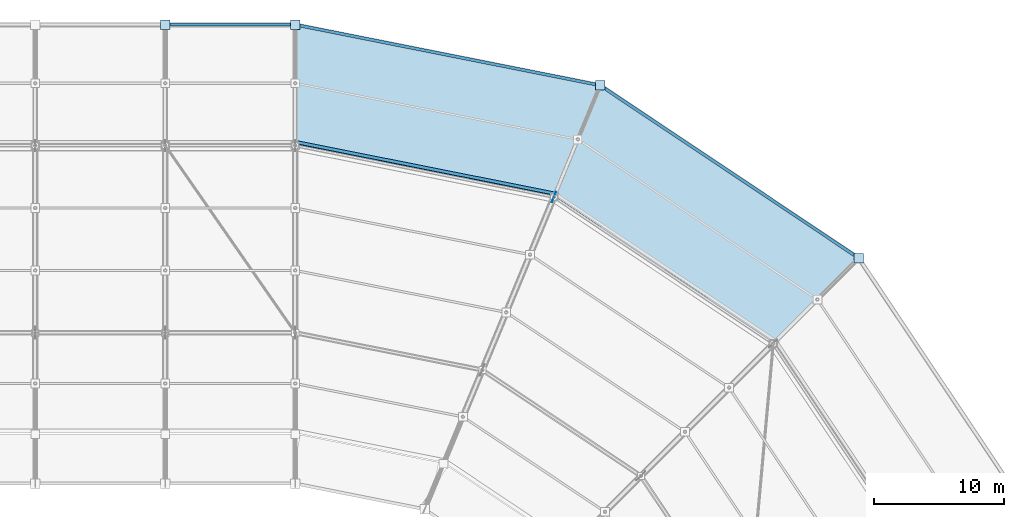
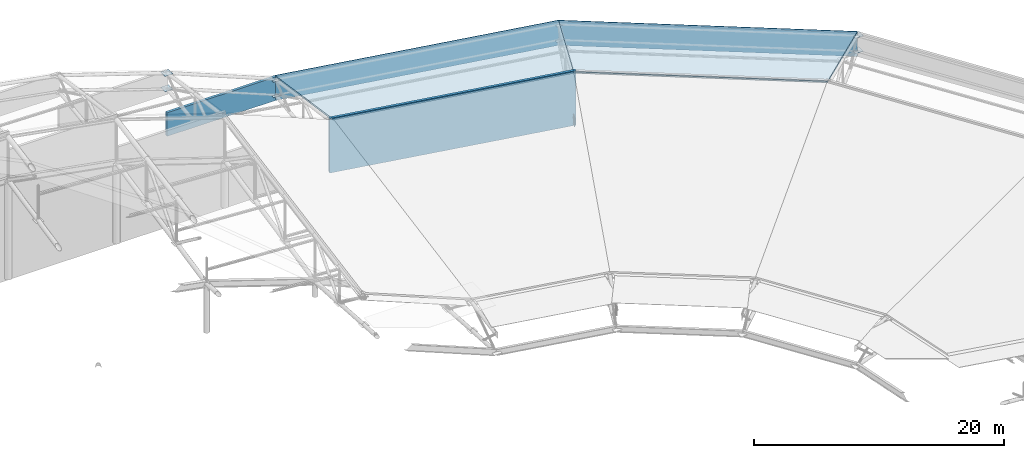
# One storey, part 123 of 146: 13 plates, 2 slabs.
"""IFC4 building model written with IfcOpenShell, lengths in metres."""

import ifcopenshell
import ifcopenshell.guid

model = None  # the IFC model being written
_history = None  # IfcOwnerHistory: only IFC2X3 demands one
_inside = {}  # id of a spatial element -> (the spatial element, [elements in it])
_under = {}  # id of a project, library or spatial element -> (it, [spatial elements below it])
_declared = {}  # id of a project -> (the project, [libraries it declares])
_typed = {}  # id of a type object -> (the type object, [elements of that type])
_made_of = {}  # id of a material, layer set ... -> (it, [elements and type objects made of it])


def new_model(schema):
    """Start an empty IFC model of exactly this schema.

    Asked for "IFC4X3", IfcOpenShell would pick the latest addendum, in which some entities
    have other attributes; the version numbers below select the first issue.
    IFC2X3 requires an IfcOwnerHistory on every rooted entity: one is made here for all.
    """
    global model, _history
    if schema == "IFC4X3":
        model = ifcopenshell.file(schema_version=(4, 3, 0, 0))
    else:
        model = ifcopenshell.file(schema=schema)
    _inside.clear()
    _under.clear()
    _declared.clear()
    _typed.clear()
    _made_of.clear()
    _history = None
    if model.schema == "IFC2X3":
        org = make("IfcOrganization", Name="unknown")
        user = make(
            "IfcPersonAndOrganization",
            ThePerson=make("IfcPerson", FamilyName="unknown"),
            TheOrganization=org,
        )
        app = make(
            "IfcApplication",
            ApplicationDeveloper=org,
            Version="unknown",
            ApplicationFullName="unknown",
            ApplicationIdentifier="unknown",
        )
        _history = make(
            "IfcOwnerHistory",
            OwningUser=user,
            OwningApplication=app,
            ChangeAction="ADDED",
            CreationDate=0,
        )
    return model


def make(cls, **values):
    """One entity of the class cls with the attributes given. An attribute that is None is left unset."""
    return model.create_entity(
        cls, **{name: value for name, value in values.items() if value is not None}
    )


def rooted(cls, **values):
    """An entity with a GlobalId (a new one), such as an element, a storey or a relation."""
    return make(cls, GlobalId=ifcopenshell.guid.new(), OwnerHistory=_history, **values)


def si_unit(unit_type, name, prefix=None):
    """IfcSIUnit, for example si_unit("LENGTHUNIT", "METRE", prefix="MILLI")."""
    return make("IfcSIUnit", UnitType=unit_type, Prefix=prefix, Name=name)


def assignment(units):
    """IfcUnitAssignment: the units of a project."""
    return None if units is None else make("IfcUnitAssignment", Units=units)


def point(xyz):
    """IfcCartesianPoint."""
    return None if xyz is None else make("IfcCartesianPoint", Coordinates=xyz)


def direction(xyz):
    """IfcDirection."""
    return None if xyz is None else make("IfcDirection", DirectionRatios=xyz)


def frame(location, z_axis=None, x_axis=None):
    """IfcAxis2Placement3D, a coordinate frame: its origin and axes. An axis left out is left unset."""
    return make(
        "IfcAxis2Placement3D",
        Location=point(location),
        Axis=direction(z_axis),
        RefDirection=direction(x_axis),
    )


def frame_2d(location, x_axis=None):
    """IfcAxis2Placement2D, a coordinate frame in the plane: its origin and x axis."""
    return make(
        "IfcAxis2Placement2D", Location=point(location), RefDirection=direction(x_axis)
    )


def origin():
    """The frame at (0, 0, 0) with its axes left unset."""
    return frame((0.0, 0.0, 0.0))


def origin_2d():
    """The frame at (0, 0) in the plane with its x axis left unset."""
    return frame_2d((0.0, 0.0))


def place(relative_to, where):
    """IfcLocalPlacement: puts the frame where relative to a parent placement (None: the world)."""
    return make(
        "IfcLocalPlacement", PlacementRelTo=relative_to, RelativePlacement=where
    )


def context(
    kind, dimensions, precision=None, world=None, true_north=None, identifier=None
):
    """IfcGeometricRepresentationContext, for example the 3D "Model" context."""
    return make(
        "IfcGeometricRepresentationContext",
        ContextIdentifier=identifier,
        ContextType=kind,
        CoordinateSpaceDimension=dimensions,
        Precision=precision,
        WorldCoordinateSystem=world,
        TrueNorth=true_north,
    )


def subcontext(parent, identifier, kind, view, scale=None):
    """IfcGeometricRepresentationSubContext, for example "Body" below "Model"."""
    return make(
        "IfcGeometricRepresentationSubContext",
        ContextIdentifier=identifier,
        ContextType=kind,
        ParentContext=parent,
        TargetScale=scale,
        TargetView=view,
    )


def project(units=None, contexts=None):
    """IfcProject with its units and contexts."""
    return rooted(
        "IfcProject",
        Name="project",
        RepresentationContexts=contexts,
        UnitsInContext=assignment(units),
    )


def spatial(cls, under=None, at=None, **own):
    """A site, building, storey or space (cls), placed at a placement, below another one or the project."""
    s = rooted(cls, ObjectPlacement=at, **own)
    if under is not None:
        _under.setdefault(under.id(), (under, []))[1].append(s)
    return s


def polyline(points):
    """IfcPolyline through the points."""
    return make("IfcPolyline", Points=[point(p) for p in points])


def profile(cls, at=None, kind="AREA", **sizes):
    """A parametric profile (cls). Its sizes go by their IFC names, for example OverallWidth=200.0."""
    return make(cls, ProfileType=kind, Position=at, **sizes)


def rectangle(**sizes):
    """IfcRectangleProfileDef."""
    return profile("IfcRectangleProfileDef", **sizes)


def outline(outer, holes=None, kind="AREA"):
    """IfcArbitraryClosedProfileDef: a profile drawn as a closed curve; with holes, ...WithVoids."""
    if holes is None:
        return make("IfcArbitraryClosedProfileDef", ProfileType=kind, OuterCurve=outer)
    return make(
        "IfcArbitraryProfileDefWithVoids",
        ProfileType=kind,
        OuterCurve=outer,
        InnerCurves=holes,
    )


def extrude(swept, where, along, depth):
    """IfcExtrudedAreaSolid: the profile swept, set in the frame where, extruded along a direction by depth."""
    return make(
        "IfcExtrudedAreaSolid",
        SweptArea=swept,
        Position=where,
        ExtrudedDirection=direction(along),
        Depth=depth,
    )


def shape(context_of_items, identifier, shape_type, items):
    """IfcShapeRepresentation: the items that make up one representation, for example the "Body"."""
    return make(
        "IfcShapeRepresentation",
        ContextOfItems=context_of_items,
        RepresentationIdentifier=identifier,
        RepresentationType=shape_type,
        Items=items,
    )


def material(Name=None, Category=None):
    """IfcMaterial."""
    return make("IfcMaterial", Name=Name, Category=Category)


def layer(
    of_material, thickness, ventilated=None, Name=None, Category=None, Priority=None
):
    """IfcMaterialLayer: one layer of a wall or slab, of a material (None: an air gap)."""
    return make(
        "IfcMaterialLayer",
        Material=of_material,
        LayerThickness=thickness,
        IsVentilated=ventilated,
        Name=Name,
        Category=Category,
        Priority=Priority,
    )


def layer_set(layers, Name=None):
    """IfcMaterialLayerSet."""
    return make("IfcMaterialLayerSet", MaterialLayers=layers, LayerSetName=Name)


def made_of(thing, what):
    """Note that an element or type object is made of a material, layer set ...; save() writes the relation."""
    if what is not None:
        _made_of.setdefault(what.id(), (what, []))[1].append(thing)
    return thing


def type_object(cls, material=None, **own):
    """A type object (cls), such as IfcWallType, which elements share."""
    return made_of(rooted(cls, **own), material)


def element(
    cls,
    number,
    at=None,
    inside=None,
    cuts=None,
    type_object=None,
    material=None,
    context=None,
    identifier="Body",
    shape_type=None,
    held_by="IfcProductDefinitionShape",
    body=None,
    shapes=None,
    **own,
):
    """One element of the class cls, such as IfcWall. Its Tag is "e" and its number.

    at: its placement. inside: the storey or other place that contains it. cuts: it is an
    opening in that element (IfcRelVoidsElement). A single representation is given by context,
    identifier, shape_type and body (its items); several are given by shapes. held_by: the class
    of the entity that holds the representations. save() writes the other relations.
    """
    e = rooted(cls, Tag="e%d" % number, ObjectPlacement=at, **own)
    if body is not None:
        shapes = [shape(context, identifier, shape_type, body)]
    if shapes is not None:
        e.Representation = make(held_by, Representations=shapes)
    if inside is not None:
        _inside.setdefault(inside.id(), (inside, []))[1].append(e)
    if cuts is not None:
        rooted(
            "IfcRelVoidsElement", RelatingBuildingElement=cuts, RelatedOpeningElement=e
        )
    if type_object is not None:
        _typed.setdefault(type_object.id(), (type_object, []))[1].append(e)
    return made_of(e, material)


def aggregate(whole, parts):
    """IfcRelAggregates: a whole, such as a stair, and the parts it consists of."""
    return rooted("IfcRelAggregates", RelatingObject=whole, RelatedObjects=parts)


def save(model, path):
    """Write the relations noted so far, then the file.

    IfcRelAggregates (storeys below a building ...), IfcRelContainedInSpatialStructure (elements
    in a storey), IfcRelDefinesByType, IfcRelAssociatesMaterial and IfcRelDeclares: one each for
    every whole, place, type object, material and project.
    """
    for whole, parts in _under.values():
        aggregate(whole, parts)
    for where, things in _inside.values():
        rooted(
            "IfcRelContainedInSpatialStructure",
            RelatedElements=things,
            RelatingStructure=where,
        )
    for kind, things in _typed.values():
        rooted("IfcRelDefinesByType", RelatedObjects=things, RelatingType=kind)
    for what, things in _made_of.values():
        rooted("IfcRelAssociatesMaterial", RelatedObjects=things, RelatingMaterial=what)
    for by, libraries in _declared.values():
        rooted("IfcRelDeclares", RelatingContext=by, RelatedDefinitions=libraries)
    model.write(path)


model = new_model("IFC4")

# Units and contexts
model_context = context("Model", 3, precision=1e-05, world=origin(), true_north=direction((0.0, 1.0)))
body_context = subcontext(model_context, "Body", "Model", "MODEL_VIEW")
ifc_project = project(units=[si_unit("LENGTHUNIT", "METRE"), si_unit("AREAUNIT", "SQUARE_METRE"), si_unit("VOLUMEUNIT", "CUBIC_METRE"), si_unit("PLANEANGLEUNIT", "RADIAN"), si_unit("MASSUNIT", "GRAM", prefix="KILO")], contexts=[model_context])

# Site, building, storey
site_placement = place(None, origin())
site = spatial("IfcSite", under=ifc_project, at=site_placement, CompositionType="ELEMENT")
building_placement = place(site_placement, origin())
building = spatial("IfcBuilding", under=site, at=building_placement, Name="Candeia Ridge Stadium", CompositionType="ELEMENT")
storey_placement = place(building_placement, frame((0.0, 0.0, 31.800048828125)))
storey = spatial("IfcBuildingStorey", under=building, at=storey_placement, Name="RF", CompositionType="ELEMENT", Elevation=31.800048828125)

# Plates
ifc_material_1 = material(Name="Aluminium Anodized Warm Bronze", Category="aluminium")
ifc_layer_1 = layer(ifc_material_1, 0.239990234375, Name="Aluminium Anodized Warm Bronze", Category="aluminium")
ifc_layer_set_1 = layer_set([ifc_layer_1], Name="Aluminium Anodized Warm Bronze")
plate_type_1 = type_object("IfcPlateType", Name="Crown Perforated Bronze Acoustic Screen", PredefinedType="SHEET", material=ifc_layer_set_1)
plate_1_placement = place(storey_placement, frame((136.0, 156.300048828125, 1.25), z_axis=(0.0, 0.0, 1.0), x_axis=(-1.0, 0.0, 0.0)))
element("IfcPlate", 1, at=plate_1_placement, inside=storey, type_object=plate_type_1, Name="Saddle roof outer eaves warm-bronze fascia bay 01", PredefinedType="SHEET", context=body_context, shape_type="SweptSolid", body=[
    extrude(rectangle(XDim=10.06005859375, YDim=0.239990234375, at=origin_2d()), origin(), (0.0, 0.0, 1.0), 2.300048828125),
])
plate_2_placement = place(storey_placement, frame((174.402099609375, 144.98974609375, 1.25), z_axis=(0.0, 0.0, 1.0), x_axis=(-0.831469634236, 0.555570200194, 0.0)))
element("IfcPlate", 2, at=plate_2_placement, inside=storey, type_object=plate_type_1, Name="Saddle roof outer eaves warm-bronze fascia bay 35", PredefinedType="SHEET", context=body_context, shape_type="SweptSolid", body=[
    extrude(rectangle(XDim=23.97802734375, YDim=0.239990234375, at=origin_2d()), origin(), (0.0, 0.0, 1.0), 2.300048828125),
])
plate_3_placement = place(storey_placement, frame((151.00341796875, 145.290283203125, -0.3251953125), z_axis=(0.0, 0.0, 1.0), x_axis=(-0.980785281074, 0.195090318644, 0.0)))
element("IfcPlate", 3, at=plate_3_placement, inside=storey, type_object=plate_type_1, Name="Crown perforated bronze acoustic screen RF bay 36", PredefinedType="SHEET", context=body_context, shape_type="SweptSolid", body=[
    extrude(rectangle(XDim=20.798583984375, YDim=0.239990234375, at=origin_2d()), origin(), (0.0, 0.0, 1.0), 5.330078125),
])
plate_4_placement = place(storey_placement, frame((152.729248046875, 153.966796875, 1.25), z_axis=(0.0, 0.0, 1.0), x_axis=(-0.980785277015, 0.195090339048, 0.0)))
element("IfcPlate", 4, at=plate_4_placement, inside=storey, type_object=plate_type_1, Name="Saddle roof outer eaves warm-bronze fascia bay 36", PredefinedType="SHEET", context=body_context, shape_type="SweptSolid", body=[
    extrude(rectangle(XDim=23.97802734375, YDim=0.239990234375, at=origin_2d()), origin(), (0.0, 0.0, 1.0), 2.300048828125),
])
ifc_material_2 = material(Name="Steel ASTM A572 Grade 50", Category="steel")
ifc_layer_2 = layer(ifc_material_2, 0.02490234375, Name="Steel ASTM A572 Grade 50", Category="steel")
ifc_layer_set_2 = layer_set([ifc_layer_2], Name="Steel ASTM A572 Grade 50")
plate_type_2 = type_object("IfcPlateType", Name="Hollow Section End Closure Plate CP2", PredefinedType="SHEET", material=ifc_layer_set_2)
for number, where, z_axis, x_axis, name in (
    (5, (141.0, 156.300048828125, 3.2685546875), (0.0, 0.0, 1.0), (1.0, 0.0, 0.0), "Hollow section end closure plate TCAP-EAVE-00"),
    (6, (141.0, 156.300048828125, 1.7685546875), (0.0, 0.0, 1.0), (1.0, 0.0, 0.0), "Hollow section end closure plate BCAP-EAVE-00"),
    (7, (131.0, 156.300048828125, 7.346923828125), (0.0, 0.0, 1.0), (1.0, 0.0, 0.0), "Hollow section end closure plate TCAP-EAVE-01"),
    (8, (131.0, 156.300048828125, 5.846923828125), (0.0, 0.0, 1.0), (1.0, 0.0, 0.0), "Hollow section end closure plate BCAP-EAVE-01"),
    (9, (184.345703125, 138.345703125, 3.2685546875), (0.0, 0.0, 1.0), (1.0, 0.0, 0.0), "Hollow section end closure plate TCAP-EAVE-34"),
    (10, (184.345703125, 138.345703125, 1.7685546875), (0.0, 0.0, 1.0), (1.0, 0.0, 0.0), "Hollow section end closure plate BCAP-EAVE-34"),
    (11, (164.45849609375, 151.6337890625, 3.2685546875), (0.0, 0.0, 1.0), (1.0, 0.0, 0.0), "Hollow section end closure plate TCAP-EAVE-35"),
    (12, (164.45849609375, 151.6337890625, 1.7685546875), (0.0, 0.0, 1.0), (1.0, 0.0, 0.0), "Hollow section end closure plate BCAP-EAVE-35"),
):
    element("IfcPlate", number, at=place(storey_placement, frame(where, z_axis=z_axis, x_axis=x_axis)), inside=storey, type_object=plate_type_2, Name=name, PredefinedType="SHEET", context=body_context, shape_type="SweptSolid", body=[
        extrude(rectangle(XDim=0.719970703125, YDim=0.719970703125, at=origin_2d()), origin(), (0.0, 0.0, 1.0), 0.02490234375),
    ])
ifc_layer_3 = layer(ifc_material_2, 0.028076171875, Name="Steel ASTM A572 Grade 50", Category="steel")
ifc_layer_set_3 = layer_set([ifc_layer_3], Name="Steel ASTM A572 Grade 50")
plate_type_3 = type_object("IfcPlateType", Name="Roof Truss Outer Tie Node Gusset ND-2", PredefinedType="USERDEFINED", material=ifc_layer_set_3)
plate_5_placement = place(storey_placement, frame((160.899658203125, 143.041748046875, -0.025146484375), z_axis=(0.0, 0.0, 1.0), x_axis=(0.382683433413, 0.923879532077, 0.0)))
element("IfcPlate", 13, at=plate_5_placement, inside=storey, type_object=plate_type_3, Name="Roof truss outer support node ND-2 bay 36", ObjectType="GUSSET PLATE", PredefinedType="USERDEFINED", context=body_context, shape_type="SweptSolid", body=[
    extrude(rectangle(XDim=0.85009765625, YDim=0.028076171875, at=origin_2d()), origin(), (0.0, 0.0, 1.0), 0.85009765625),
])

# Slabs
ifc_layer_4 = layer(ifc_material_2, 0.1650390625, Name="Steel ASTM A572 Grade 50", Category="steel")
ifc_layer_set_4 = layer_set([ifc_layer_4], Name="Steel ASTM A572 Grade 50")
slab_type = type_object("IfcSlabType", Name="Saddle Eaves Roof Deck 165", PredefinedType="ROOF", material=ifc_layer_set_4)
slab_1_placement = place(storey_placement, frame((177.825927734375, 131.825927734375, 4.988037109375), z_axis=(0.084296794497, 0.126159658461, 0.988421868948), x_axis=(-0.831458637348, 0.555586657838, -3.364062e-06)))
element("IfcSlab", 14, at=slab_1_placement, inside=storey, type_object=slab_type, Name="Stadium saddle roof eave deck bay 35", PredefinedType="ROOF", context=body_context, shape_type="SweptSolid", body=[
    extrude(outline(polyline([(0.0, 0.0), (20.32091695834634, 0.0), (22.119996267848006, -9.148505019899881), (-1.7986860245924663, -9.149485867843724), (0.0, 0.0)])), origin(), (0.0, 0.0, -1.0), 0.1650390625),
])
slab_2_placement = place(storey_placement, frame((160.929931640625, 143.115966796875, 4.988037109375), z_axis=(0.029601315607, 0.148820532569, 0.988421069788), x_axis=(-0.980787133937, 0.195081003438, 5.36886e-07)))
element("IfcSlab", 15, at=slab_2_placement, inside=storey, type_object=slab_type, Name="Stadium saddle roof eave deck bay 36", PredefinedType="ROOF", context=body_context, shape_type="SweptSolid", body=[
    extrude(outline(polyline([(0.0, 0.0), (20.320343349009452, 0.0), (22.118983740149393, -9.148759817575172), (-1.7985795203383441, -9.148603290923226), (0.0, 0.0)])), origin(), (0.0, 0.0, -1.0), 0.1650390625),
])

save(model, "model.ifc")
